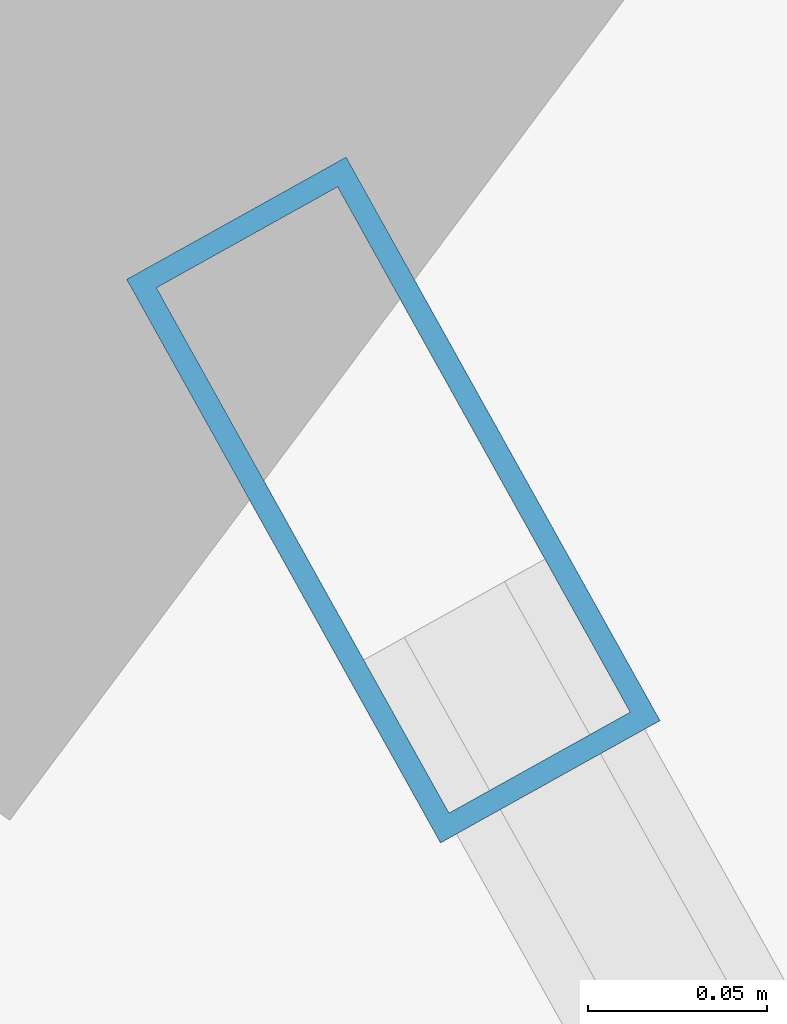
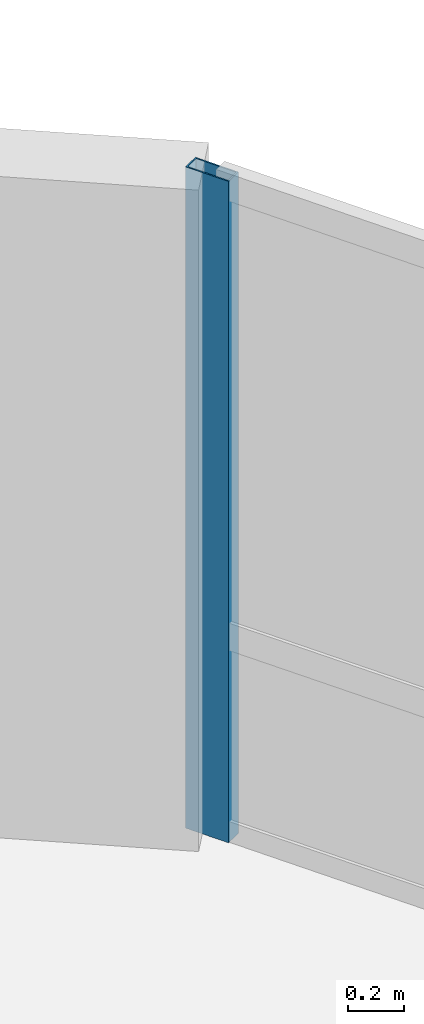
# One storey, part 8 of 15: 1 member, 1 element without a shape of its own.
"""IFC4 building model written with IfcOpenShell, lengths in metres."""

from ifc_helpers import new_model, si_unit, direction, frame, origin, origin_2d, place, context, subcontext, project, spatial, hollow_rectangle, extrude, material, layer, layer_set, material_profile, profile_set, type_object, element, aggregate, save


model = new_model("IFC4")

# Units and contexts
model_context = context("Model", 3, precision=1e-05, world=origin(), true_north=direction((0.0, 1.0)))
body_context = subcontext(model_context, "Body", "Model", "MODEL_VIEW")
ifc_project = project(units=[si_unit("LENGTHUNIT", "METRE"), si_unit("AREAUNIT", "SQUARE_METRE"), si_unit("VOLUMEUNIT", "CUBIC_METRE"), si_unit("PLANEANGLEUNIT", "RADIAN"), si_unit("MASSUNIT", "GRAM", prefix="KILO"), si_unit("THERMODYNAMICTEMPERATUREUNIT", "KELVIN"), si_unit("POWERUNIT", "WATT")], contexts=[model_context])

# Site, building, storey
site_placement = place(None, origin())
site = spatial("IfcSite", under=ifc_project, at=site_placement, CompositionType="ELEMENT")
building_placement = place(site_placement, origin())
building = spatial("IfcBuilding", under=site, at=building_placement, Name="Ocrelia Relay Tower", CompositionType="ELEMENT")
storey_placement = place(building_placement, frame((0.0, 0.0, 101.800048828125)))
storey = spatial("IfcBuildingStorey", under=building, at=storey_placement, Name="L23", CompositionType="ELEMENT", Elevation=101.800048828125)

# Curtain wall, member
ifc_material_1 = material(Name="Aluminium and solar-control low-E glass", Category="aluminium")
ifc_layer = layer(ifc_material_1, 0.179931640625, Name="Aluminium and solar-control low-E glass")
ifc_layer_set = layer_set([ifc_layer], Name="Aluminium and solar-control low-E glass")
curtain_wall_type = type_object("IfcCurtainWallType", Name="CW-SYS-Z2-SWIT", PredefinedType="NOTDEFINED", material=ifc_layer_set)
curtain_wall_placement = place(storey_placement, origin())
curtain_wall = element("IfcCurtainWall", 1, at=curtain_wall_placement, inside=storey, type_object=curtain_wall_type, Name="L23 Elliptical Tower Curtain Wall Bay 01", PredefinedType="NOTDEFINED")
ifc_material_2 = material(Name="Anodised bronze aluminium", Category="aluminium")
ifc_material_profile = material_profile(ifc_material_2, hollow_rectangle(XDim=0.070068359375, YDim=0.179931640625, WallThickness=0.006103515625, at=origin_2d()), Name="CW-MUL-180x70")
ifc_profile_set = profile_set([ifc_material_profile], Name="Anodised bronze aluminium")
member_type = type_object("IfcMemberType", Name="CW-SYS-Z2-SWIT-MUL", PredefinedType="MULLION", material=ifc_profile_set)
member_placement = place(storey_placement, frame((55.25927734375, 39.099609375, 0.0), z_axis=(0.0, 0.0, 1.0), x_axis=(-0.873611590369, -0.486623868273, 0.0)))
member = element("IfcMember", 2, at=member_placement, type_object=member_type, Name="CW-Z2 mullion 3", PredefinedType="MULLION", context=body_context, shape_type="SweptSolid", body=[
    extrude(hollow_rectangle(XDim=0.070068359375, YDim=0.179931640625, WallThickness=0.006103515625, at=origin_2d()), origin(), (0.0, 0.0, 1.0), 2.89990234375),
])
aggregate(curtain_wall, [member])

save(model, "model.ifc")
